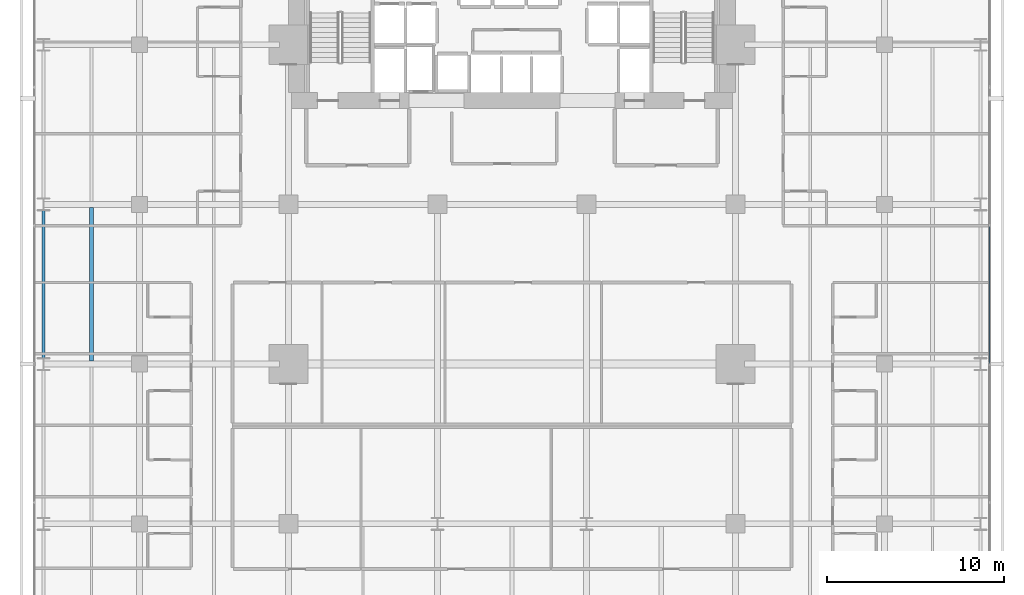
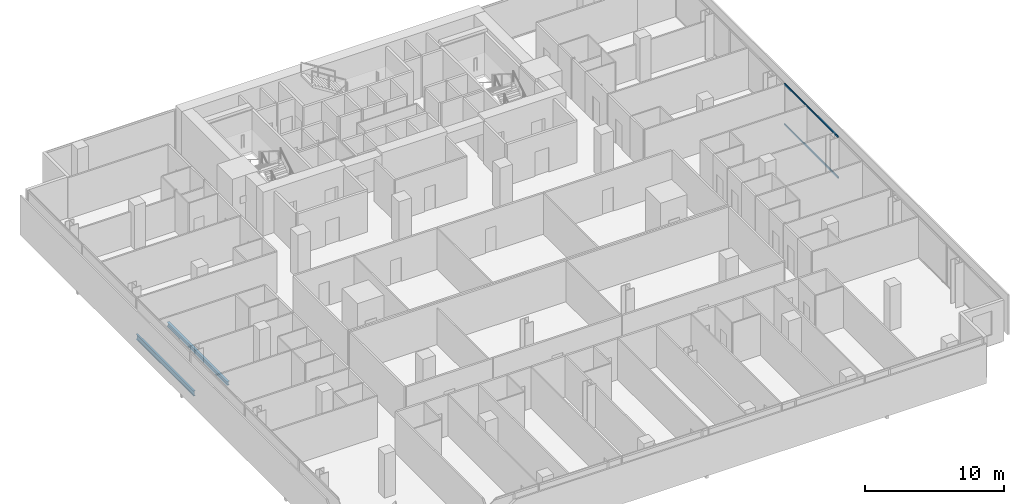
# One storey, part 20 of 40: 2 beams, 2 members, 1 element without a shape of its own.
"""IFC4 building model written with IfcOpenShell, lengths in metres."""

from ifc_helpers import new_model, si_unit, direction, frame, origin, origin_2d, place, context, subcontext, project, spatial, hollow_rectangle, i_section, extrude, material, layer, layer_set, material_profile, profile_set, type_object, element, aggregate, save


model = new_model("IFC4")

# Units and contexts
model_context = context("Model", 3, precision=1e-05, world=origin(), true_north=direction((0.0, 1.0)))
body_context = subcontext(model_context, "Body", "Model", "MODEL_VIEW")
ifc_project = project(units=[si_unit("LENGTHUNIT", "METRE"), si_unit("AREAUNIT", "SQUARE_METRE"), si_unit("VOLUMEUNIT", "CUBIC_METRE"), si_unit("PLANEANGLEUNIT", "RADIAN"), si_unit("MASSUNIT", "GRAM", prefix="KILO")], contexts=[model_context])

# Site, building, storey
site_placement = place(None, origin())
site = spatial("IfcSite", under=ifc_project, at=site_placement, CompositionType="ELEMENT")
building_placement = place(site_placement, origin())
building = spatial("IfcBuilding", under=site, at=building_placement, Name="Maruvema Waterfront Hotel and Observation Tower", CompositionType="ELEMENT")
storey_placement = place(building_placement, frame((0.0, 0.0, 77.0)))
storey = spatial("IfcBuildingStorey", under=building, at=storey_placement, Name="L18", CompositionType="ELEMENT", Elevation=77.0)

# Curtain wall, members
ifc_material_1 = material(Name="Anodised bronze aluminium and solar-control low-E IGU", Category="aluminium")
ifc_layer = layer(ifc_material_1, 0.159912109375, Name="Zone 1 Bronze Inner Thermal Curtain Wall System CW-02")
ifc_layer_set = layer_set([ifc_layer], Name="Anodised bronze aluminium and solar-control low-E IGU")
curtain_wall_type = type_object("IfcCurtainWallType", Name="Zone 1 Bronze Inner Thermal Curtain Wall System CW-02", PredefinedType="USERDEFINED", material=ifc_layer_set)
curtain_wall_placement = place(storey_placement, origin())
curtain_wall = element("IfcCurtainWall", 1, at=curtain_wall_placement, inside=storey, type_object=curtain_wall_type, Name="L18 Curtain Wall CW-L18-E", ObjectType="UNITISED CURTAIN WALL", PredefinedType="USERDEFINED")
ifc_material_2 = material(Name="Anodised architectural bronze aluminium", Category="aluminium")
ifc_material_profile_1 = material_profile(ifc_material_2, hollow_rectangle(XDim=0.070068359375, YDim=0.14990234375, WallThickness=0.00390625, at=origin_2d()), Name="ALU-T70x150")
ifc_profile_set_1 = profile_set([ifc_material_profile_1], Name="Anodised architectural bronze aluminium")
member_type = type_object("IfcMemberType", Name="Curtain Wall Horizontal Transom ALU-T70x150", PredefinedType="USERDEFINED", material=ifc_profile_set_1)
member_1_placement = place(storey_placement, frame((64.719970703125, 27.030029296875, 0.030029296875), z_axis=(0.0, 1.0, 0.0), x_axis=(-1.0, 0.0, 0.0)))
member_1 = element("IfcMember", 2, at=member_1_placement, type_object=member_type, Name="CW-02 transom 4.1", ObjectType="TRANSOM", PredefinedType="USERDEFINED", context=body_context, shape_type="SweptSolid", body=[
    extrude(hollow_rectangle(XDim=0.070068359375, YDim=0.14990234375, WallThickness=0.00390625, at=origin_2d()), origin(), (0.0, 0.0, 1.0), 7.739990234375),
])
member_2_placement = place(storey_placement, frame((64.719970703125, 27.030029296875, 3.580078125), z_axis=(0.0, 1.0, 0.0), x_axis=(-1.0, 0.0, 0.0)))
member_2 = element("IfcMember", 3, at=member_2_placement, type_object=member_type, Name="CW-02 transom 4.2", ObjectType="TRANSOM", PredefinedType="USERDEFINED", context=body_context, shape_type="SweptSolid", body=[
    extrude(hollow_rectangle(XDim=0.070068359375, YDim=0.14990234375, WallThickness=0.00390625, at=origin_2d()), origin(), (0.0, 0.0, 1.0), 7.739990234375),
])
aggregate(curtain_wall, [member_1, member_2])

# Beams
ifc_material_3 = material(Name="Steel ASTM A572 Grade 50", Category="steel")
ifc_material_profile_2 = material_profile(ifc_material_3, i_section(OverallWidth=0.153076171875, OverallDepth=0.455078125, WebThickness=0.008056640625, FlangeThickness=0.01318359375, FilletRadius=0.014892578125, at=origin_2d()), Name="W460x60.0")
ifc_profile_set_2 = profile_set([ifc_material_profile_2], Name="Steel ASTM A572 Grade 50")
beam_type_1 = type_object("IfcBeamType", Name="Perimeter Spandrel Beam W460x60.0", PredefinedType="SPANDREL", material=ifc_profile_set_2)
beam_1_placement = place(storey_placement, frame((11.39990234375, 27.35009765625, -0.467529296875), z_axis=(0.0, 1.0, 0.0), x_axis=(-1.0, 0.0, 0.0)))
element("IfcBeam", 4, at=beam_1_placement, inside=storey, type_object=beam_type_1, Name="L18 Floor Girder NS-03", PredefinedType="SPANDREL", context=body_context, shape_type="SweptSolid", body=[
    extrude(i_section(OverallWidth=0.153076171875, OverallDepth=0.455078125, WebThickness=0.008056640625, FlangeThickness=0.01318359375, FilletRadius=0.014892578125, at=origin_2d()), origin(), (0.0, 0.0, 1.0), 8.2998046875),
])
ifc_material_4 = material(Name="Steel ASTM A572 Grade 50", Category="steel")
ifc_material_profile_3 = material_profile(ifc_material_4, i_section(OverallWidth=0.202880859375, OverallDepth=0.346923828125, WebThickness=0.0078125, FlangeThickness=0.013427734375, FilletRadius=0.014892578125, at=origin_2d()), Name="W360x64.0")
ifc_profile_set_3 = profile_set([ifc_material_profile_3], Name="Steel ASTM A572 Grade 50")
beam_type_2 = type_object("IfcBeamType", Name="Secondary Floor Joist W360x64.0", PredefinedType="JOIST", material=ifc_profile_set_3)
beam_2_placement = place(storey_placement, frame((14.10009765625, 27.162109375, -0.41357421875), z_axis=(0.0, 1.0, 0.0), x_axis=(-1.0, 0.0, 0.0)))
element("IfcBeam", 5, at=beam_2_placement, inside=storey, type_object=beam_type_2, Name="L18 Secondary Floor Joist JS-03", PredefinedType="JOIST", context=body_context, shape_type="SweptSolid", body=[
    extrude(i_section(OverallWidth=0.202880859375, OverallDepth=0.346923828125, WebThickness=0.0078125, FlangeThickness=0.013427734375, FilletRadius=0.014892578125, at=origin_2d()), origin(), (0.0, 0.0, 1.0), 8.67578125),
])

save(model, "model.ifc")
